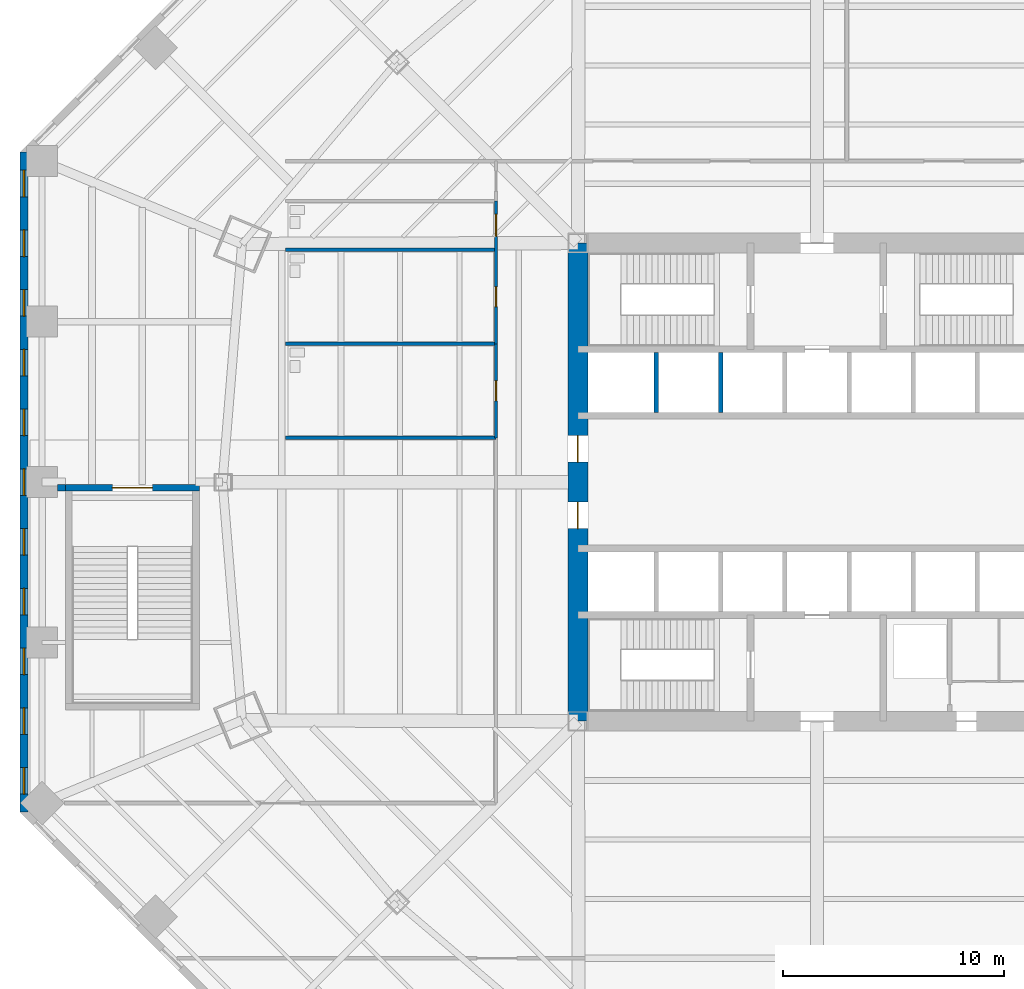
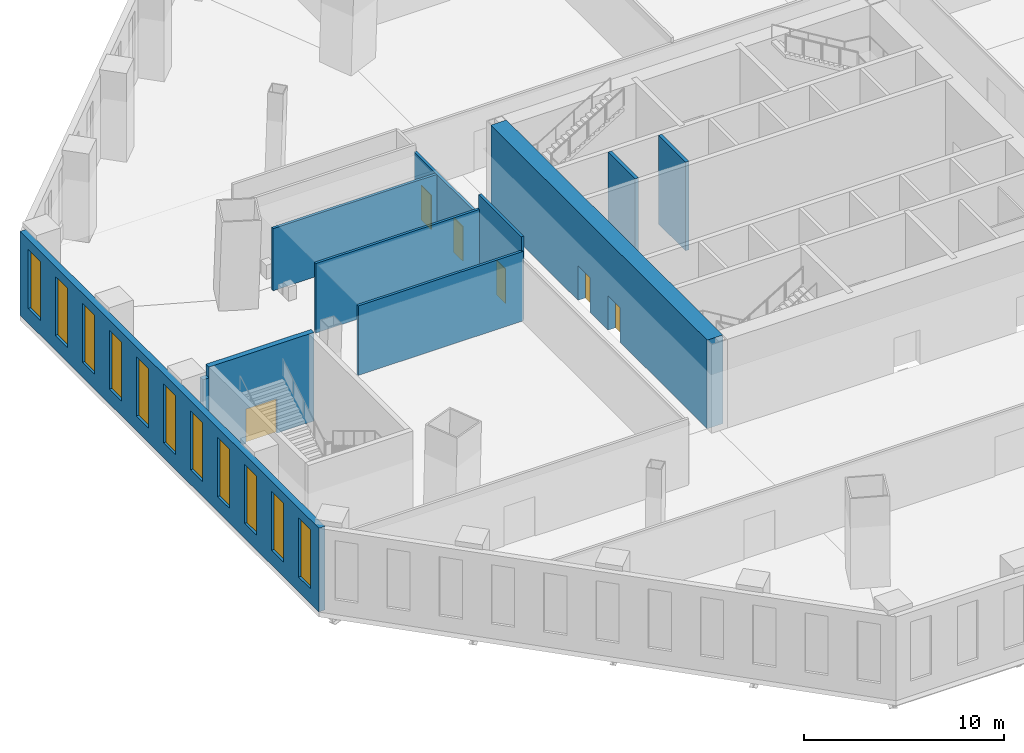
# One storey, part 10 of 18: 11 walls, 11 windows, 6 doors, 17 openings.
"""IFC4 building model written with IfcOpenShell, lengths in metres."""

import ifcopenshell
import ifcopenshell.guid

model = None  # the IFC model being written
_history = None  # IfcOwnerHistory: only IFC2X3 demands one
_inside = {}  # id of a spatial element -> (the spatial element, [elements in it])
_under = {}  # id of a project, library or spatial element -> (it, [spatial elements below it])
_declared = {}  # id of a project -> (the project, [libraries it declares])
_typed = {}  # id of a type object -> (the type object, [elements of that type])
_made_of = {}  # id of a material, layer set ... -> (it, [elements and type objects made of it])


def new_model(schema):
    """Start an empty IFC model of exactly this schema.

    Asked for "IFC4X3", IfcOpenShell would pick the latest addendum, in which some entities
    have other attributes; the version numbers below select the first issue.
    IFC2X3 requires an IfcOwnerHistory on every rooted entity: one is made here for all.
    """
    global model, _history
    if schema == "IFC4X3":
        model = ifcopenshell.file(schema_version=(4, 3, 0, 0))
    else:
        model = ifcopenshell.file(schema=schema)
    _inside.clear()
    _under.clear()
    _declared.clear()
    _typed.clear()
    _made_of.clear()
    _history = None
    if model.schema == "IFC2X3":
        org = make("IfcOrganization", Name="unknown")
        user = make(
            "IfcPersonAndOrganization",
            ThePerson=make("IfcPerson", FamilyName="unknown"),
            TheOrganization=org,
        )
        app = make(
            "IfcApplication",
            ApplicationDeveloper=org,
            Version="unknown",
            ApplicationFullName="unknown",
            ApplicationIdentifier="unknown",
        )
        _history = make(
            "IfcOwnerHistory",
            OwningUser=user,
            OwningApplication=app,
            ChangeAction="ADDED",
            CreationDate=0,
        )
    return model


def make(cls, **values):
    """One entity of the class cls with the attributes given. An attribute that is None is left unset."""
    return model.create_entity(
        cls, **{name: value for name, value in values.items() if value is not None}
    )


def rooted(cls, **values):
    """An entity with a GlobalId (a new one), such as an element, a storey or a relation."""
    return make(cls, GlobalId=ifcopenshell.guid.new(), OwnerHistory=_history, **values)


def si_unit(unit_type, name, prefix=None):
    """IfcSIUnit, for example si_unit("LENGTHUNIT", "METRE", prefix="MILLI")."""
    return make("IfcSIUnit", UnitType=unit_type, Prefix=prefix, Name=name)


def assignment(units):
    """IfcUnitAssignment: the units of a project."""
    return None if units is None else make("IfcUnitAssignment", Units=units)


def point(xyz):
    """IfcCartesianPoint."""
    return None if xyz is None else make("IfcCartesianPoint", Coordinates=xyz)


def direction(xyz):
    """IfcDirection."""
    return None if xyz is None else make("IfcDirection", DirectionRatios=xyz)


def frame(location, z_axis=None, x_axis=None):
    """IfcAxis2Placement3D, a coordinate frame: its origin and axes. An axis left out is left unset."""
    return make(
        "IfcAxis2Placement3D",
        Location=point(location),
        Axis=direction(z_axis),
        RefDirection=direction(x_axis),
    )


def frame_2d(location, x_axis=None):
    """IfcAxis2Placement2D, a coordinate frame in the plane: its origin and x axis."""
    return make(
        "IfcAxis2Placement2D", Location=point(location), RefDirection=direction(x_axis)
    )


def origin():
    """The frame at (0, 0, 0) with its axes left unset."""
    return frame((0.0, 0.0, 0.0))


def place(relative_to, where):
    """IfcLocalPlacement: puts the frame where relative to a parent placement (None: the world)."""
    return make(
        "IfcLocalPlacement", PlacementRelTo=relative_to, RelativePlacement=where
    )


def context(
    kind, dimensions, precision=None, world=None, true_north=None, identifier=None
):
    """IfcGeometricRepresentationContext, for example the 3D "Model" context."""
    return make(
        "IfcGeometricRepresentationContext",
        ContextIdentifier=identifier,
        ContextType=kind,
        CoordinateSpaceDimension=dimensions,
        Precision=precision,
        WorldCoordinateSystem=world,
        TrueNorth=true_north,
    )


def subcontext(parent, identifier, kind, view, scale=None):
    """IfcGeometricRepresentationSubContext, for example "Body" below "Model"."""
    return make(
        "IfcGeometricRepresentationSubContext",
        ContextIdentifier=identifier,
        ContextType=kind,
        ParentContext=parent,
        TargetScale=scale,
        TargetView=view,
    )


def project(units=None, contexts=None):
    """IfcProject with its units and contexts."""
    return rooted(
        "IfcProject",
        Name="project",
        RepresentationContexts=contexts,
        UnitsInContext=assignment(units),
    )


def spatial(cls, under=None, at=None, **own):
    """A site, building, storey or space (cls), placed at a placement, below another one or the project."""
    s = rooted(cls, ObjectPlacement=at, **own)
    if under is not None:
        _under.setdefault(under.id(), (under, []))[1].append(s)
    return s


def profile(cls, at=None, kind="AREA", **sizes):
    """A parametric profile (cls). Its sizes go by their IFC names, for example OverallWidth=200.0."""
    return make(cls, ProfileType=kind, Position=at, **sizes)


def rectangle(**sizes):
    """IfcRectangleProfileDef."""
    return profile("IfcRectangleProfileDef", **sizes)


def extrude(swept, where, along, depth):
    """IfcExtrudedAreaSolid: the profile swept, set in the frame where, extruded along a direction by depth."""
    return make(
        "IfcExtrudedAreaSolid",
        SweptArea=swept,
        Position=where,
        ExtrudedDirection=direction(along),
        Depth=depth,
    )


def shape(context_of_items, identifier, shape_type, items):
    """IfcShapeRepresentation: the items that make up one representation, for example the "Body"."""
    return make(
        "IfcShapeRepresentation",
        ContextOfItems=context_of_items,
        RepresentationIdentifier=identifier,
        RepresentationType=shape_type,
        Items=items,
    )


def material(Name=None, Category=None):
    """IfcMaterial."""
    return make("IfcMaterial", Name=Name, Category=Category)


def layer(
    of_material, thickness, ventilated=None, Name=None, Category=None, Priority=None
):
    """IfcMaterialLayer: one layer of a wall or slab, of a material (None: an air gap)."""
    return make(
        "IfcMaterialLayer",
        Material=of_material,
        LayerThickness=thickness,
        IsVentilated=ventilated,
        Name=Name,
        Category=Category,
        Priority=Priority,
    )


def layer_set(layers, Name=None):
    """IfcMaterialLayerSet."""
    return make("IfcMaterialLayerSet", MaterialLayers=layers, LayerSetName=Name)


def made_of(thing, what):
    """Note that an element or type object is made of a material, layer set ...; save() writes the relation."""
    if what is not None:
        _made_of.setdefault(what.id(), (what, []))[1].append(thing)
    return thing


def type_object(cls, material=None, **own):
    """A type object (cls), such as IfcWallType, which elements share."""
    return made_of(rooted(cls, **own), material)


def element(
    cls,
    number,
    at=None,
    inside=None,
    cuts=None,
    type_object=None,
    material=None,
    context=None,
    identifier="Body",
    shape_type=None,
    held_by="IfcProductDefinitionShape",
    body=None,
    shapes=None,
    **own,
):
    """One element of the class cls, such as IfcWall. Its Tag is "e" and its number.

    at: its placement. inside: the storey or other place that contains it. cuts: it is an
    opening in that element (IfcRelVoidsElement). A single representation is given by context,
    identifier, shape_type and body (its items); several are given by shapes. held_by: the class
    of the entity that holds the representations. save() writes the other relations.
    """
    e = rooted(cls, Tag="e%d" % number, ObjectPlacement=at, **own)
    if body is not None:
        shapes = [shape(context, identifier, shape_type, body)]
    if shapes is not None:
        e.Representation = make(held_by, Representations=shapes)
    if inside is not None:
        _inside.setdefault(inside.id(), (inside, []))[1].append(e)
    if cuts is not None:
        rooted(
            "IfcRelVoidsElement", RelatingBuildingElement=cuts, RelatedOpeningElement=e
        )
    if type_object is not None:
        _typed.setdefault(type_object.id(), (type_object, []))[1].append(e)
    return made_of(e, material)


def fill(opening, filler):
    """IfcRelFillsElement: the door or window that sits in an opening."""
    return rooted(
        "IfcRelFillsElement",
        RelatingOpeningElement=opening,
        RelatedBuildingElement=filler,
    )


def aggregate(whole, parts):
    """IfcRelAggregates: a whole, such as a stair, and the parts it consists of."""
    return rooted("IfcRelAggregates", RelatingObject=whole, RelatedObjects=parts)


def save(model, path):
    """Write the relations noted so far, then the file.

    IfcRelAggregates (storeys below a building ...), IfcRelContainedInSpatialStructure (elements
    in a storey), IfcRelDefinesByType, IfcRelAssociatesMaterial and IfcRelDeclares: one each for
    every whole, place, type object, material and project.
    """
    for whole, parts in _under.values():
        aggregate(whole, parts)
    for where, things in _inside.values():
        rooted(
            "IfcRelContainedInSpatialStructure",
            RelatedElements=things,
            RelatingStructure=where,
        )
    for kind, things in _typed.values():
        rooted("IfcRelDefinesByType", RelatedObjects=things, RelatingType=kind)
    for what, things in _made_of.values():
        rooted("IfcRelAssociatesMaterial", RelatedObjects=things, RelatingMaterial=what)
    for by, libraries in _declared.values():
        rooted("IfcRelDeclares", RelatingContext=by, RelatedDefinitions=libraries)
    model.write(path)


model = new_model("IFC4")

# Units and contexts
model_context = context("Model", 3, precision=1e-05, world=origin(), true_north=direction((0.0, 1.0)))
body_context = subcontext(model_context, "Body", "Model", "MODEL_VIEW")
ifc_project = project(units=[si_unit("LENGTHUNIT", "METRE"), si_unit("AREAUNIT", "SQUARE_METRE"), si_unit("VOLUMEUNIT", "CUBIC_METRE"), si_unit("PLANEANGLEUNIT", "RADIAN"), si_unit("MASSUNIT", "GRAM", prefix="KILO")], contexts=[model_context])

# Site, building, storey
site_placement = place(None, origin())
site = spatial("IfcSite", under=ifc_project, at=site_placement, CompositionType="ELEMENT")
building_placement = place(site_placement, origin())
building = spatial("IfcBuilding", under=site, at=building_placement, Name="Mashrafa Tower", CompositionType="ELEMENT")
storey_placement = place(building_placement, frame((0.0, 0.0, 13.199951171875)))
storey = spatial("IfcBuildingStorey", under=building, at=storey_placement, Name="L02", CompositionType="ELEMENT", Elevation=13.199951171875)

# Wall, openings, doors
ifc_material_1 = material(Name="Concrete C60/75", Category="concrete")
ifc_layer_1 = layer(ifc_material_1, 0.89990234375)
ifc_layer_set_1 = layer_set([ifc_layer_1], Name="Core wall 900 C60/75")
wall_type_1 = type_object("IfcWallType", Name="Core wall 900 C60/75", PredefinedType="SOLIDWALL", material=ifc_layer_set_1)
wall_1_placement = place(storey_placement, frame((-10.800048828125, 10.800048828125, 0.0), z_axis=(0.0, 0.0, 1.0), x_axis=(0.0, -1.0, 0.0)))
wall_1 = element("IfcWall", 1, at=wall_1_placement, inside=storey, type_object=wall_type_1, Name="Core wall CW-W L02", PredefinedType="SOLIDWALL", context=body_context, shape_type="SweptSolid", body=[
    extrude(rectangle(XDim=21.60009765625, YDim=0.89990234375, at=frame_2d((10.800048828125, 0.0))), origin(), (0.0, 0.0, 1.0), 5.400146484375),
])
opening_1_placement = place(wall_1_placement, frame((8.699951171875, 0.0, 0.0)))
opening_1 = element("IfcOpeningElement", 2, at=opening_1_placement, cuts=wall_1, Name="Opening 02.016", PredefinedType="OPENING", context=body_context, shape_type="SweptSolid", body=[
    extrude(rectangle(XDim=1.199951171875, YDim=2.10009765625, at=frame_2d((0.60009765625, 1.050048828125))), frame((0.0, 0.4599609375, 0.0), z_axis=(0.0, -1.0, 0.0), x_axis=(1.0, 0.0, 0.0)), (0.0, 0.0, 1.0), 0.919921875),
])
opening_2_placement = place(wall_1_placement, frame((11.699951171875, 0.0, 0.0)))
opening_2 = element("IfcOpeningElement", 3, at=opening_2_placement, cuts=wall_1, Name="Opening 02.018", PredefinedType="OPENING", context=body_context, shape_type="SweptSolid", body=[
    extrude(rectangle(XDim=1.199951171875, YDim=2.10009765625, at=frame_2d((0.60009765625, 1.050048828125))), frame((0.0, 0.4599609375, 0.0), z_axis=(0.0, -1.0, 0.0), x_axis=(1.0, 0.0, 0.0)), (0.0, 0.0, 1.0), 0.919921875),
])
ifc_material_2 = material(Name="Steel door", Category="steel")
door_type_1 = type_object("IfcDoorType", Name="Lift hall door 1200 x 2100 90 min", OperationType="USERDEFINED", PredefinedType="DOOR", material=ifc_material_2)
door_1_placement = place(opening_1_placement, frame((1.199951171875, 0.0, 0.0), z_axis=(0.0, 0.0, 1.0), x_axis=(-1.0, 0.0, 0.0)))
door_1 = element("IfcDoor", 4, at=door_1_placement, inside=storey, type_object=door_type_1, Name="Lift hall door west L02", OperationType="SINGLE_SWING_RIGHT", OverallHeight=2.10009765625, OverallWidth=1.199951171875, PredefinedType="DOOR", context=body_context, shape_type="SweptSolid", body=[
    extrude(rectangle(XDim=1.199951171875, YDim=2.10009765625, at=frame_2d((0.60009765625, 1.050048828125))), frame((0.0, 0.02490234375, 0.0), z_axis=(0.0, -1.0, 0.0), x_axis=(1.0, 0.0, 0.0)), (0.0, 0.0, 1.0), 0.050048828125),
])
fill(opening_1, door_1)
door_2_placement = place(opening_2_placement, frame((1.199951171875, 0.0, 0.0), z_axis=(0.0, 0.0, 1.0), x_axis=(-1.0, 0.0, 0.0)))
door_2 = element("IfcDoor", 5, at=door_2_placement, inside=storey, type_object=door_type_1, Name="Lift hall door west L02", OperationType="SINGLE_SWING_RIGHT", OverallHeight=2.10009765625, OverallWidth=1.199951171875, PredefinedType="DOOR", context=body_context, shape_type="SweptSolid", body=[
    extrude(rectangle(XDim=1.199951171875, YDim=2.10009765625, at=frame_2d((0.60009765625, 1.050048828125))), frame((0.0, 0.02490234375, 0.0), z_axis=(0.0, -1.0, 0.0), x_axis=(1.0, 0.0, 0.0)), (0.0, 0.0, 1.0), 0.050048828125),
])
fill(opening_2, door_2)

# Wall, opening, door
ifc_material_3 = material(Name="Gypsum board on steel studs", Category="steel")
ifc_layer_2 = layer(ifc_material_3, 0.14990234375)
ifc_layer_set_2 = layer_set([ifc_layer_2], Name="Corridor partition 150 1 hr")
wall_type_2 = type_object("IfcWallType", Name="Corridor partition 150 1 hr", PredefinedType="PARTITIONING", material=ifc_layer_set_2)
wall_2_placement = place(storey_placement, frame((-14.5, 2.0, 0.0), z_axis=(0.0, 0.0, 1.0), x_axis=(0.0, 1.0, 0.0)))
wall_2 = element("IfcWall", 6, at=wall_2_placement, inside=storey, type_object=wall_type_2, Name="Corridor wall L02-003", PredefinedType="PARTITIONING", context=body_context, shape_type="SweptSolid", body=[
    extrude(rectangle(XDim=4.25, YDim=0.14990234375, at=frame_2d((2.125, 0.0))), origin(), (0.0, 0.0, 1.0), 5.10009765625),
])
opening_3_placement = place(wall_2_placement, frame((1.675048828125, 0.0, 0.0)))
opening_3 = element("IfcOpeningElement", 7, at=opening_3_placement, cuts=wall_2, Name="Opening 02.001", PredefinedType="OPENING", context=body_context, shape_type="SweptSolid", body=[
    extrude(rectangle(XDim=0.89990234375, YDim=2.10009765625, at=frame_2d((0.449951171875, 1.050048828125))), frame((0.0, 0.0849609375, 0.0), z_axis=(0.0, -1.0, 0.0), x_axis=(1.0, 0.0, 0.0)), (0.0, 0.0, 1.0), 0.169921875),
])
ifc_material_4 = material(Name="Timber door", Category="wood")
door_type_2 = type_object("IfcDoorType", Name="Toilet door 900 x 2100", OperationType="USERDEFINED", PredefinedType="DOOR", material=ifc_material_4)
door_3_placement = place(opening_3_placement, origin())
door_3 = element("IfcDoor", 8, at=door_3_placement, inside=storey, type_object=door_type_2, Name="WC Female L02 door", OperationType="SINGLE_SWING_LEFT", OverallHeight=2.10009765625, OverallWidth=0.89990234375, PredefinedType="DOOR", context=body_context, shape_type="SweptSolid", body=[
    extrude(rectangle(XDim=0.89990234375, YDim=2.10009765625, at=frame_2d((0.449951171875, 1.050048828125))), frame((0.0, 0.02490234375, 0.0), z_axis=(0.0, -1.0, 0.0), x_axis=(1.0, 0.0, 0.0)), (0.0, 0.0, 1.0), 0.050048828125),
])
fill(opening_3, door_3)

# Wall, openings, doors
wall_3_placement = place(storey_placement, frame((-14.5, 6.25, 0.0), z_axis=(0.0, 0.0, 1.0), x_axis=(0.0, 1.0, 0.0)))
wall_3 = element("IfcWall", 9, at=wall_3_placement, inside=storey, type_object=wall_type_2, Name="Corridor wall L02-005", PredefinedType="PARTITIONING", context=body_context, shape_type="SweptSolid", body=[
    extrude(rectangle(XDim=6.449951171875, YDim=0.14990234375, at=frame_2d((3.22509765625, 0.0))), origin(), (0.0, 0.0, 1.0), 3.7900390625),
])
opening_4_placement = place(wall_3_placement, frame((1.675048828125, 0.0, 0.0)))
opening_4 = element("IfcOpeningElement", 10, at=opening_4_placement, cuts=wall_3, Name="Opening 02.002", PredefinedType="OPENING", context=body_context, shape_type="SweptSolid", body=[
    extrude(rectangle(XDim=0.89990234375, YDim=2.10009765625, at=frame_2d((0.449951171875, 1.050048828125))), frame((0.0, 0.0849609375, 0.0), z_axis=(0.0, -1.0, 0.0), x_axis=(1.0, 0.0, 0.0)), (0.0, 0.0, 1.0), 0.169921875),
])
opening_5_placement = place(wall_3_placement, frame((4.85009765625, 0.0, 0.0)))
opening_5 = element("IfcOpeningElement", 11, at=opening_5_placement, cuts=wall_3, Name="Opening 02.003", PredefinedType="OPENING", context=body_context, shape_type="SweptSolid", body=[
    extrude(rectangle(XDim=1.0, YDim=2.10009765625, at=frame_2d((0.5, 1.050048828125))), frame((0.0, 0.0849609375, 0.0), z_axis=(0.0, -1.0, 0.0), x_axis=(1.0, 0.0, 0.0)), (0.0, 0.0, 1.0), 0.169921875),
])
ifc_material_5 = material(Name="Timber door", Category="wood")
door_type_3 = type_object("IfcDoorType", Name="Accessible toilet door 1000 x 2100", OperationType="USERDEFINED", PredefinedType="DOOR", material=ifc_material_5)
door_4_placement = place(opening_5_placement, origin())
door_4 = element("IfcDoor", 12, at=door_4_placement, inside=storey, type_object=door_type_3, Name="Accessible WC L02 door", OperationType="SINGLE_SWING_LEFT", OverallHeight=2.10009765625, OverallWidth=1.0, PredefinedType="DOOR", context=body_context, shape_type="SweptSolid", body=[
    extrude(rectangle(XDim=1.0, YDim=2.10009765625, at=frame_2d((0.5, 1.050048828125))), frame((0.0, 0.02490234375, 0.0), z_axis=(0.0, -1.0, 0.0), x_axis=(1.0, 0.0, 0.0)), (0.0, 0.0, 1.0), 0.050048828125),
])
fill(opening_5, door_4)
door_5_placement = place(opening_4_placement, origin())
door_5 = element("IfcDoor", 13, at=door_5_placement, inside=storey, type_object=door_type_2, Name="WC Male L02 door", OperationType="SINGLE_SWING_LEFT", OverallHeight=2.10009765625, OverallWidth=0.89990234375, PredefinedType="DOOR", context=body_context, shape_type="SweptSolid", body=[
    extrude(rectangle(XDim=0.89990234375, YDim=2.10009765625, at=frame_2d((0.449951171875, 1.050048828125))), frame((0.0, 0.02490234375, 0.0), z_axis=(0.0, -1.0, 0.0), x_axis=(1.0, 0.0, 0.0)), (0.0, 0.0, 1.0), 0.050048828125),
])
fill(opening_4, door_5)

# Wall, openings, windows
ifc_material_6 = material(Name="Riyadh limestone cladding on blockwork", Category="masonry")
ifc_layer_3 = layer(ifc_material_6, 0.35009765625)
ifc_layer_set_3 = layer_set([ifc_layer_3], Name="Limestone-clad external wall 350")
wall_type_3 = type_object("IfcWallType", Name="Limestone-clad external wall 350", PredefinedType="SOLIDWALL", material=ifc_layer_set_3)
wall_4_placement = place(storey_placement, frame((-35.824951171875, 14.91162109375, 0.0), z_axis=(0.0, 0.0, 1.0), x_axis=(0.0, -1.0, 0.0)))
wall_4 = element("IfcWall", 14, at=wall_4_placement, inside=storey, type_object=wall_type_3, Name="Limestone-clad external wall L02 west", PredefinedType="SOLIDWALL", context=body_context, shape_type="SweptSolid", body=[
    extrude(rectangle(XDim=29.8232421875, YDim=0.35009765625, at=frame_2d((14.91162109375, 0.0))), origin(), (0.0, 0.0, 1.0), 5.10009765625),
])
opening_6_placement = place(wall_4_placement, frame((0.821533203125, 0.0, 0.89990234375)))
opening_6 = element("IfcOpeningElement", 15, at=opening_6_placement, cuts=wall_4, Name="Opening W2", PredefinedType="OPENING", context=body_context, shape_type="SweptSolid", body=[
    extrude(rectangle(XDim=1.199951171875, YDim=3.60009765625, at=frame_2d((0.60009765625, 1.800048828125))), frame((0.0, 0.18505859375, 0.0), z_axis=(0.0, -1.0, 0.0), x_axis=(1.0, 0.0, 0.0)), (0.0, 0.0, 1.0), 0.3701171875),
])
opening_7_placement = place(wall_4_placement, frame((3.51953125, 0.0, 0.89990234375)))
opening_7 = element("IfcOpeningElement", 16, at=opening_7_placement, cuts=wall_4, Name="Opening W2", PredefinedType="OPENING", context=body_context, shape_type="SweptSolid", body=[
    extrude(rectangle(XDim=1.199951171875, YDim=3.60009765625, at=frame_2d((0.60009765625, 1.800048828125))), frame((0.0, 0.18505859375, 0.0), z_axis=(0.0, -1.0, 0.0), x_axis=(1.0, 0.0, 0.0)), (0.0, 0.0, 1.0), 0.3701171875),
])
opening_8_placement = place(wall_4_placement, frame((6.217529296875, 0.0, 0.89990234375)))
opening_8 = element("IfcOpeningElement", 17, at=opening_8_placement, cuts=wall_4, Name="Opening W2", PredefinedType="OPENING", context=body_context, shape_type="SweptSolid", body=[
    extrude(rectangle(XDim=1.199951171875, YDim=3.60009765625, at=frame_2d((0.60009765625, 1.800048828125))), frame((0.0, 0.18505859375, 0.0), z_axis=(0.0, -1.0, 0.0), x_axis=(1.0, 0.0, 0.0)), (0.0, 0.0, 1.0), 0.3701171875),
])
opening_9_placement = place(wall_4_placement, frame((8.91552734375, 0.0, 0.89990234375)))
opening_9 = element("IfcOpeningElement", 18, at=opening_9_placement, cuts=wall_4, Name="Opening W2", PredefinedType="OPENING", context=body_context, shape_type="SweptSolid", body=[
    extrude(rectangle(XDim=1.199951171875, YDim=3.60009765625, at=frame_2d((0.60009765625, 1.800048828125))), frame((0.0, 0.18505859375, 0.0), z_axis=(0.0, -1.0, 0.0), x_axis=(1.0, 0.0, 0.0)), (0.0, 0.0, 1.0), 0.3701171875),
])
opening_10_placement = place(wall_4_placement, frame((11.61376953125, 0.0, 0.89990234375)))
opening_10 = element("IfcOpeningElement", 19, at=opening_10_placement, cuts=wall_4, Name="Opening W2", PredefinedType="OPENING", context=body_context, shape_type="SweptSolid", body=[
    extrude(rectangle(XDim=1.199951171875, YDim=3.60009765625, at=frame_2d((0.60009765625, 1.800048828125))), frame((0.0, 0.18505859375, 0.0), z_axis=(0.0, -1.0, 0.0), x_axis=(1.0, 0.0, 0.0)), (0.0, 0.0, 1.0), 0.3701171875),
])
opening_11_placement = place(wall_4_placement, frame((14.311767578125, 0.0, 0.89990234375)))
opening_11 = element("IfcOpeningElement", 20, at=opening_11_placement, cuts=wall_4, Name="Opening W2", PredefinedType="OPENING", context=body_context, shape_type="SweptSolid", body=[
    extrude(rectangle(XDim=1.199951171875, YDim=3.60009765625, at=frame_2d((0.60009765625, 1.800048828125))), frame((0.0, 0.18505859375, 0.0), z_axis=(0.0, -1.0, 0.0), x_axis=(1.0, 0.0, 0.0)), (0.0, 0.0, 1.0), 0.3701171875),
])
opening_12_placement = place(wall_4_placement, frame((17.009765625, 0.0, 0.89990234375)))
opening_12 = element("IfcOpeningElement", 21, at=opening_12_placement, cuts=wall_4, Name="Opening W2", PredefinedType="OPENING", context=body_context, shape_type="SweptSolid", body=[
    extrude(rectangle(XDim=1.199951171875, YDim=3.60009765625, at=frame_2d((0.60009765625, 1.800048828125))), frame((0.0, 0.18505859375, 0.0), z_axis=(0.0, -1.0, 0.0), x_axis=(1.0, 0.0, 0.0)), (0.0, 0.0, 1.0), 0.3701171875),
])
opening_13_placement = place(wall_4_placement, frame((19.707763671875, 0.0, 0.89990234375)))
opening_13 = element("IfcOpeningElement", 22, at=opening_13_placement, cuts=wall_4, Name="Opening W2", PredefinedType="OPENING", context=body_context, shape_type="SweptSolid", body=[
    extrude(rectangle(XDim=1.199951171875, YDim=3.60009765625, at=frame_2d((0.60009765625, 1.800048828125))), frame((0.0, 0.18505859375, 0.0), z_axis=(0.0, -1.0, 0.0), x_axis=(1.0, 0.0, 0.0)), (0.0, 0.0, 1.0), 0.3701171875),
])
opening_14_placement = place(wall_4_placement, frame((22.40576171875, 0.0, 0.89990234375)))
opening_14 = element("IfcOpeningElement", 23, at=opening_14_placement, cuts=wall_4, Name="Opening W2", PredefinedType="OPENING", context=body_context, shape_type="SweptSolid", body=[
    extrude(rectangle(XDim=1.199951171875, YDim=3.60009765625, at=frame_2d((0.60009765625, 1.800048828125))), frame((0.0, 0.18505859375, 0.0), z_axis=(0.0, -1.0, 0.0), x_axis=(1.0, 0.0, 0.0)), (0.0, 0.0, 1.0), 0.3701171875),
])
opening_15_placement = place(wall_4_placement, frame((25.103759765625, 0.0, 0.89990234375)))
opening_15 = element("IfcOpeningElement", 24, at=opening_15_placement, cuts=wall_4, Name="Opening W2", PredefinedType="OPENING", context=body_context, shape_type="SweptSolid", body=[
    extrude(rectangle(XDim=1.199951171875, YDim=3.60009765625, at=frame_2d((0.60009765625, 1.800048828125))), frame((0.0, 0.18505859375, 0.0), z_axis=(0.0, -1.0, 0.0), x_axis=(1.0, 0.0, 0.0)), (0.0, 0.0, 1.0), 0.3701171875),
])
opening_16_placement = place(wall_4_placement, frame((27.8017578125, 0.0, 0.89990234375)))
opening_16 = element("IfcOpeningElement", 25, at=opening_16_placement, cuts=wall_4, Name="Opening W2", PredefinedType="OPENING", context=body_context, shape_type="SweptSolid", body=[
    extrude(rectangle(XDim=1.199951171875, YDim=3.60009765625, at=frame_2d((0.60009765625, 1.800048828125))), frame((0.0, 0.18505859375, 0.0), z_axis=(0.0, -1.0, 0.0), x_axis=(1.0, 0.0, 0.0)), (0.0, 0.0, 1.0), 0.3701171875),
])
ifc_material_7 = material(Name="Bronze-framed insulated glazing", Category="glass")
window_type = type_object("IfcWindowType", Name="Tall punched window 1200 x 3600", PartitioningType="DOUBLE_PANEL_HORIZONTAL", PredefinedType="WINDOW", material=ifc_material_7)
window_1_placement = place(opening_6_placement, origin())
window_1 = element("IfcWindow", 26, at=window_1_placement, inside=storey, type_object=window_type, Name="Window W2 L02 west bay 1", OverallHeight=3.60009765625, OverallWidth=1.199951171875, PartitioningType="SINGLE_PANEL", PredefinedType="WINDOW", context=body_context, shape_type="SweptSolid", body=[
    extrude(rectangle(XDim=1.199951171875, YDim=3.60009765625, at=frame_2d((0.60009765625, 1.800048828125))), frame((0.0, 0.030029296875, 0.0), z_axis=(0.0, -1.0, 0.0), x_axis=(1.0, 0.0, 0.0)), (0.0, 0.0, 1.0), 0.06005859375),
])
fill(opening_6, window_1)
window_2_placement = place(opening_7_placement, origin())
window_2 = element("IfcWindow", 27, at=window_2_placement, inside=storey, type_object=window_type, Name="Window W2 L02 west bay 2", OverallHeight=3.60009765625, OverallWidth=1.199951171875, PartitioningType="SINGLE_PANEL", PredefinedType="WINDOW", context=body_context, shape_type="SweptSolid", body=[
    extrude(rectangle(XDim=1.199951171875, YDim=3.60009765625, at=frame_2d((0.60009765625, 1.800048828125))), frame((0.0, 0.030029296875, 0.0), z_axis=(0.0, -1.0, 0.0), x_axis=(1.0, 0.0, 0.0)), (0.0, 0.0, 1.0), 0.06005859375),
])
fill(opening_7, window_2)
window_3_placement = place(opening_8_placement, origin())
window_3 = element("IfcWindow", 28, at=window_3_placement, inside=storey, type_object=window_type, Name="Window W2 L02 west bay 3", OverallHeight=3.60009765625, OverallWidth=1.199951171875, PartitioningType="SINGLE_PANEL", PredefinedType="WINDOW", context=body_context, shape_type="SweptSolid", body=[
    extrude(rectangle(XDim=1.199951171875, YDim=3.60009765625, at=frame_2d((0.60009765625, 1.800048828125))), frame((0.0, 0.030029296875, 0.0), z_axis=(0.0, -1.0, 0.0), x_axis=(1.0, 0.0, 0.0)), (0.0, 0.0, 1.0), 0.06005859375),
])
fill(opening_8, window_3)
window_4_placement = place(opening_9_placement, origin())
window_4 = element("IfcWindow", 29, at=window_4_placement, inside=storey, type_object=window_type, Name="Window W2 L02 west bay 4", OverallHeight=3.60009765625, OverallWidth=1.199951171875, PartitioningType="SINGLE_PANEL", PredefinedType="WINDOW", context=body_context, shape_type="SweptSolid", body=[
    extrude(rectangle(XDim=1.199951171875, YDim=3.60009765625, at=frame_2d((0.60009765625, 1.800048828125))), frame((0.0, 0.030029296875, 0.0), z_axis=(0.0, -1.0, 0.0), x_axis=(1.0, 0.0, 0.0)), (0.0, 0.0, 1.0), 0.06005859375),
])
fill(opening_9, window_4)
window_5_placement = place(opening_10_placement, origin())
window_5 = element("IfcWindow", 30, at=window_5_placement, inside=storey, type_object=window_type, Name="Window W2 L02 west bay 5", OverallHeight=3.60009765625, OverallWidth=1.199951171875, PartitioningType="SINGLE_PANEL", PredefinedType="WINDOW", context=body_context, shape_type="SweptSolid", body=[
    extrude(rectangle(XDim=1.199951171875, YDim=3.60009765625, at=frame_2d((0.60009765625, 1.800048828125))), frame((0.0, 0.030029296875, 0.0), z_axis=(0.0, -1.0, 0.0), x_axis=(1.0, 0.0, 0.0)), (0.0, 0.0, 1.0), 0.06005859375),
])
fill(opening_10, window_5)
window_6_placement = place(opening_11_placement, origin())
window_6 = element("IfcWindow", 31, at=window_6_placement, inside=storey, type_object=window_type, Name="Window W2 L02 west bay 6", OverallHeight=3.60009765625, OverallWidth=1.199951171875, PartitioningType="SINGLE_PANEL", PredefinedType="WINDOW", context=body_context, shape_type="SweptSolid", body=[
    extrude(rectangle(XDim=1.199951171875, YDim=3.60009765625, at=frame_2d((0.60009765625, 1.800048828125))), frame((0.0, 0.030029296875, 0.0), z_axis=(0.0, -1.0, 0.0), x_axis=(1.0, 0.0, 0.0)), (0.0, 0.0, 1.0), 0.06005859375),
])
fill(opening_11, window_6)
window_7_placement = place(opening_12_placement, origin())
window_7 = element("IfcWindow", 32, at=window_7_placement, inside=storey, type_object=window_type, Name="Window W2 L02 west bay 7", OverallHeight=3.60009765625, OverallWidth=1.199951171875, PartitioningType="SINGLE_PANEL", PredefinedType="WINDOW", context=body_context, shape_type="SweptSolid", body=[
    extrude(rectangle(XDim=1.199951171875, YDim=3.60009765625, at=frame_2d((0.60009765625, 1.800048828125))), frame((0.0, 0.030029296875, 0.0), z_axis=(0.0, -1.0, 0.0), x_axis=(1.0, 0.0, 0.0)), (0.0, 0.0, 1.0), 0.06005859375),
])
fill(opening_12, window_7)
window_8_placement = place(opening_13_placement, origin())
window_8 = element("IfcWindow", 33, at=window_8_placement, inside=storey, type_object=window_type, Name="Window W2 L02 west bay 8", OverallHeight=3.60009765625, OverallWidth=1.199951171875, PartitioningType="SINGLE_PANEL", PredefinedType="WINDOW", context=body_context, shape_type="SweptSolid", body=[
    extrude(rectangle(XDim=1.199951171875, YDim=3.60009765625, at=frame_2d((0.60009765625, 1.800048828125))), frame((0.0, 0.030029296875, 0.0), z_axis=(0.0, -1.0, 0.0), x_axis=(1.0, 0.0, 0.0)), (0.0, 0.0, 1.0), 0.06005859375),
])
fill(opening_13, window_8)
window_9_placement = place(opening_14_placement, origin())
window_9 = element("IfcWindow", 34, at=window_9_placement, inside=storey, type_object=window_type, Name="Window W2 L02 west bay 9", OverallHeight=3.60009765625, OverallWidth=1.199951171875, PartitioningType="SINGLE_PANEL", PredefinedType="WINDOW", context=body_context, shape_type="SweptSolid", body=[
    extrude(rectangle(XDim=1.199951171875, YDim=3.60009765625, at=frame_2d((0.60009765625, 1.800048828125))), frame((0.0, 0.030029296875, 0.0), z_axis=(0.0, -1.0, 0.0), x_axis=(1.0, 0.0, 0.0)), (0.0, 0.0, 1.0), 0.06005859375),
])
fill(opening_14, window_9)
window_10_placement = place(opening_15_placement, origin())
window_10 = element("IfcWindow", 35, at=window_10_placement, inside=storey, type_object=window_type, Name="Window W2 L02 west bay 10", OverallHeight=3.60009765625, OverallWidth=1.199951171875, PartitioningType="SINGLE_PANEL", PredefinedType="WINDOW", context=body_context, shape_type="SweptSolid", body=[
    extrude(rectangle(XDim=1.199951171875, YDim=3.60009765625, at=frame_2d((0.60009765625, 1.800048828125))), frame((0.0, 0.030029296875, 0.0), z_axis=(0.0, -1.0, 0.0), x_axis=(1.0, 0.0, 0.0)), (0.0, 0.0, 1.0), 0.06005859375),
])
fill(opening_15, window_10)
window_11_placement = place(opening_16_placement, origin())
window_11 = element("IfcWindow", 36, at=window_11_placement, inside=storey, type_object=window_type, Name="Window W2 L02 west bay 11", OverallHeight=3.60009765625, OverallWidth=1.199951171875, PartitioningType="SINGLE_PANEL", PredefinedType="WINDOW", context=body_context, shape_type="SweptSolid", body=[
    extrude(rectangle(XDim=1.199951171875, YDim=3.60009765625, at=frame_2d((0.60009765625, 1.800048828125))), frame((0.0, 0.030029296875, 0.0), z_axis=(0.0, -1.0, 0.0), x_axis=(1.0, 0.0, 0.0)), (0.0, 0.0, 1.0), 0.06005859375),
])
fill(opening_16, window_11)

# Walls
ifc_material_8 = material(Name="Gypsum board on steel studs", Category="steel")
ifc_layer_4 = layer(ifc_material_8, 0.14990234375)
ifc_layer_set_4 = layer_set([ifc_layer_4], Name="Partition 150")
wall_type_4 = type_object("IfcWallType", Name="Partition 150", PredefinedType="PARTITIONING", material=ifc_layer_set_4)
for number, where, z_axis, x_axis, name in (
    (37, (-14.5, 6.25, 0.0), (0.0, 0.0, 1.0), (-1.0, 0.0, 0.0), "Partition wall L02-001"),
    (38, (-24.0, 2.0, 0.0), (0.0, 0.0, 1.0), (1.0, 0.0, 0.0), "Partition wall L02-002"),
):
    element("IfcWall", number, at=place(storey_placement, frame(where, z_axis=z_axis, x_axis=x_axis)), inside=storey, type_object=wall_type_4, Name=name, PredefinedType="PARTITIONING", context=body_context, shape_type="SweptSolid", body=[
        extrude(rectangle(XDim=9.5, YDim=0.14990234375, at=frame_2d((4.75, 0.0))), origin(), (0.0, 0.0, 1.0), 4.2314453125),
    ])
wall_5_placement = place(storey_placement, frame((-14.5, 10.5, 0.0), z_axis=(0.0, 0.0, 1.0), x_axis=(-1.0, 0.0, 0.0)))
element("IfcWall", 39, at=wall_5_placement, inside=storey, type_object=wall_type_4, Name="Partition wall L02-004", PredefinedType="PARTITIONING", context=body_context, shape_type="SweptSolid", body=[
    extrude(rectangle(XDim=9.5, YDim=0.14990234375, at=frame_2d((4.75, 0.0))), origin(), (0.0, 0.0, 1.0), 3.7900390625),
])
ifc_material_9 = material(Name="Gypsum shaft wall on steel studs", Category="steel")
ifc_layer_5 = layer(ifc_material_9, 0.199951171875)
ifc_layer_set_5 = layer_set([ifc_layer_5], Name="Shaft divider wall 200 2 hr")
wall_type_5 = type_object("IfcWallType", Name="Shaft divider wall 200 2 hr", PredefinedType="PARTITIONING", material=ifc_layer_set_5)
for number, where, z_axis, x_axis, name in (
    (40, (-7.25, 3.14990234375, 0.0), (0.0, 0.0, 1.0), (0.0, 1.0, 0.0), "Shaft divider wall N1 L02"),
    (41, (-4.35009765625, 3.14990234375, 0.0), (0.0, 0.0, 1.0), (0.0, 1.0, 0.0), "Shaft divider wall N2 L02"),
):
    element("IfcWall", number, at=place(storey_placement, frame(where, z_axis=z_axis, x_axis=x_axis)), inside=storey, type_object=wall_type_5, Name=name, PredefinedType="PARTITIONING", context=body_context, shape_type="SweptSolid", body=[
        extrude(rectangle(XDim=2.7001953125, YDim=0.199951171875, at=frame_2d((1.35009765625, 0.0))), origin(), (0.0, 0.0, 1.0), 5.400146484375),
    ])

# Wall, opening, door
ifc_material_10 = material(Name="Concrete C35/45", Category="concrete")
ifc_layer_6 = layer(ifc_material_10, 0.300048828125)
ifc_layer_set_6 = layer_set([ifc_layer_6], Name="Stair core wall 300 3 hr")
wall_type_6 = type_object("IfcWallType", Name="Stair core wall 300 3 hr", PredefinedType="SOLIDWALL", material=ifc_layer_set_6)
wall_6_placement = place(storey_placement, frame((-27.89990234375, -0.25, 0.0), z_axis=(0.0, 0.0, 1.0), x_axis=(-1.0, 0.0, 0.0)))
wall_6 = element("IfcWall", 42, at=wall_6_placement, inside=storey, type_object=wall_type_6, Name="Stair P3 core wall N L02", PredefinedType="SOLIDWALL", context=body_context, shape_type="SweptSolid", body=[
    extrude(rectangle(XDim=6.050048828125, YDim=0.300048828125, at=frame_2d((3.02490234375, 0.0))), origin(), (0.0, 0.0, 1.0), 5.400146484375),
])
opening_17_placement = place(wall_6_placement, frame((2.125, 0.0, 0.0)))
opening_17 = element("IfcOpeningElement", 43, at=opening_17_placement, cuts=wall_6, Name="Opening 02.030", PredefinedType="OPENING", context=body_context, shape_type="SweptSolid", body=[
    extrude(rectangle(XDim=1.800048828125, YDim=2.10009765625, at=frame_2d((0.89990234375, 1.050048828125))), frame((0.0, 0.159912109375, 0.0), z_axis=(0.0, -1.0, 0.0), x_axis=(1.0, 0.0, 0.0)), (0.0, 0.0, 1.0), 0.320068359375),
])
ifc_material_11 = material(Name="Steel door", Category="steel")
door_type_4 = type_object("IfcDoorType", Name="Stair door pair 1800 x 2100 90 min", OperationType="DOUBLE_DOOR_SINGLE_SWING", PredefinedType="DOOR", material=ifc_material_11)
door_6_placement = place(opening_17_placement, origin())
door_6 = element("IfcDoor", 44, at=door_6_placement, inside=storey, type_object=door_type_4, Name="Stair P3 door L02", OperationType="DOUBLE_DOOR_SINGLE_SWING", OverallHeight=2.10009765625, OverallWidth=1.800048828125, PredefinedType="DOOR", context=body_context, shape_type="SweptSolid", body=[
    extrude(rectangle(XDim=1.800048828125, YDim=2.10009765625, at=frame_2d((0.89990234375, 1.050048828125))), frame((0.0, 0.02490234375, 0.0), z_axis=(0.0, -1.0, 0.0), x_axis=(1.0, 0.0, 0.0)), (0.0, 0.0, 1.0), 0.050048828125),
])
fill(opening_17, door_6)

# Wall
wall_7_placement = place(storey_placement, frame((-33.949951171875, -0.25, 0.0), z_axis=(0.0, 0.0, 1.0), x_axis=(-1.0, 0.0, 0.0)))
element("IfcWall", 45, at=wall_7_placement, inside=storey, type_object=wall_type_6, Name="Stair P3 core wall N L02 end piece 2", PredefinedType="SOLIDWALL", context=body_context, shape_type="SweptSolid", body=[
    extrude(rectangle(XDim=0.35009765625, YDim=0.300048828125, at=frame_2d((0.175048828125, 0.0))), origin(), (0.0, 0.0, 1.0), 4.744384765625),
])

save(model, "model.ifc")
